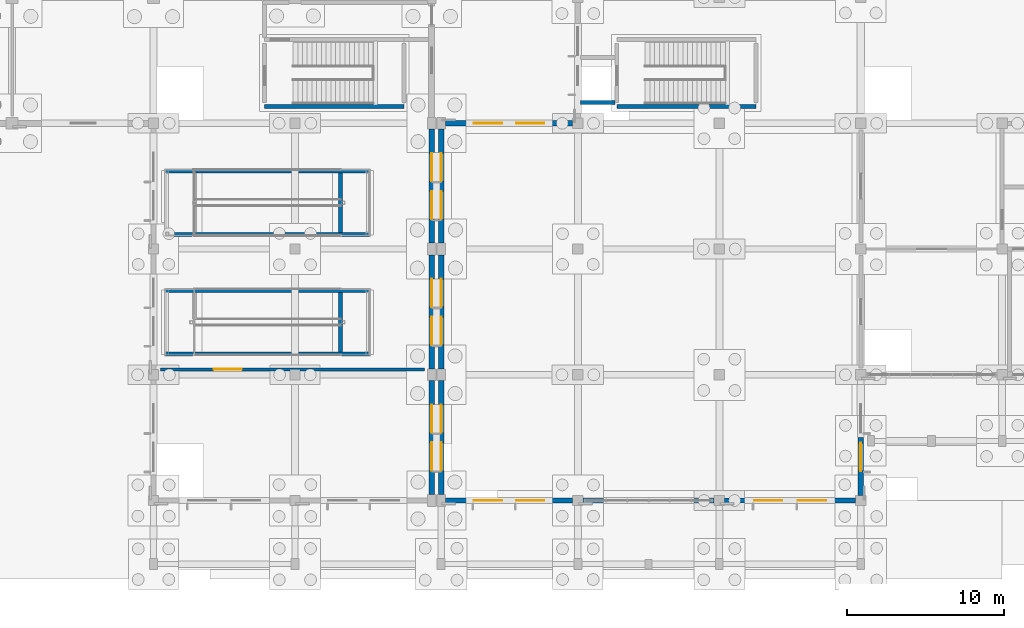
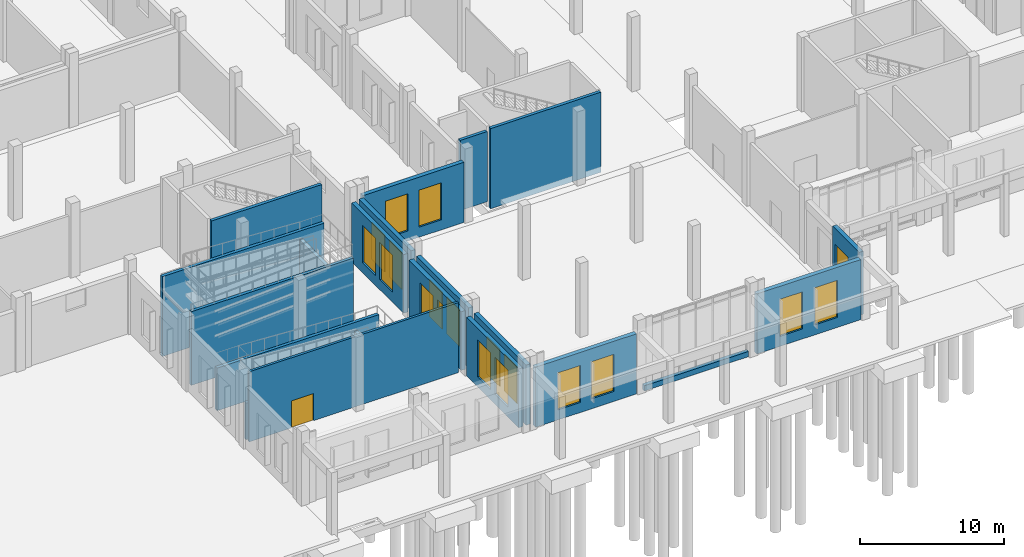
# One storey, part 57 of 99: 21 walls, 19 windows, 1 door, 20 openings.
"""IFC4 building model written with IfcOpenShell, lengths in metres."""

import ifcopenshell
import ifcopenshell.guid

model = None  # the IFC model being written
_history = None  # IfcOwnerHistory: only IFC2X3 demands one
_inside = {}  # id of a spatial element -> (the spatial element, [elements in it])
_under = {}  # id of a project, library or spatial element -> (it, [spatial elements below it])
_declared = {}  # id of a project -> (the project, [libraries it declares])
_typed = {}  # id of a type object -> (the type object, [elements of that type])
_made_of = {}  # id of a material, layer set ... -> (it, [elements and type objects made of it])


def new_model(schema):
    """Start an empty IFC model of exactly this schema.

    Asked for "IFC4X3", IfcOpenShell would pick the latest addendum, in which some entities
    have other attributes; the version numbers below select the first issue.
    IFC2X3 requires an IfcOwnerHistory on every rooted entity: one is made here for all.
    """
    global model, _history
    if schema == "IFC4X3":
        model = ifcopenshell.file(schema_version=(4, 3, 0, 0))
    else:
        model = ifcopenshell.file(schema=schema)
    _inside.clear()
    _under.clear()
    _declared.clear()
    _typed.clear()
    _made_of.clear()
    _history = None
    if model.schema == "IFC2X3":
        org = make("IfcOrganization", Name="unknown")
        user = make(
            "IfcPersonAndOrganization",
            ThePerson=make("IfcPerson", FamilyName="unknown"),
            TheOrganization=org,
        )
        app = make(
            "IfcApplication",
            ApplicationDeveloper=org,
            Version="unknown",
            ApplicationFullName="unknown",
            ApplicationIdentifier="unknown",
        )
        _history = make(
            "IfcOwnerHistory",
            OwningUser=user,
            OwningApplication=app,
            ChangeAction="ADDED",
            CreationDate=0,
        )
    return model


def make(cls, **values):
    """One entity of the class cls with the attributes given. An attribute that is None is left unset."""
    return model.create_entity(
        cls, **{name: value for name, value in values.items() if value is not None}
    )


def rooted(cls, **values):
    """An entity with a GlobalId (a new one), such as an element, a storey or a relation."""
    return make(cls, GlobalId=ifcopenshell.guid.new(), OwnerHistory=_history, **values)


def si_unit(unit_type, name, prefix=None):
    """IfcSIUnit, for example si_unit("LENGTHUNIT", "METRE", prefix="MILLI")."""
    return make("IfcSIUnit", UnitType=unit_type, Prefix=prefix, Name=name)


def assignment(units):
    """IfcUnitAssignment: the units of a project."""
    return None if units is None else make("IfcUnitAssignment", Units=units)


def point(xyz):
    """IfcCartesianPoint."""
    return None if xyz is None else make("IfcCartesianPoint", Coordinates=xyz)


def direction(xyz):
    """IfcDirection."""
    return None if xyz is None else make("IfcDirection", DirectionRatios=xyz)


def frame(location, z_axis=None, x_axis=None):
    """IfcAxis2Placement3D, a coordinate frame: its origin and axes. An axis left out is left unset."""
    return make(
        "IfcAxis2Placement3D",
        Location=point(location),
        Axis=direction(z_axis),
        RefDirection=direction(x_axis),
    )


def frame_2d(location, x_axis=None):
    """IfcAxis2Placement2D, a coordinate frame in the plane: its origin and x axis."""
    return make(
        "IfcAxis2Placement2D", Location=point(location), RefDirection=direction(x_axis)
    )


def origin():
    """The frame at (0, 0, 0) with its axes left unset."""
    return frame((0.0, 0.0, 0.0))


def place(relative_to, where):
    """IfcLocalPlacement: puts the frame where relative to a parent placement (None: the world)."""
    return make(
        "IfcLocalPlacement", PlacementRelTo=relative_to, RelativePlacement=where
    )


def context(
    kind, dimensions, precision=None, world=None, true_north=None, identifier=None
):
    """IfcGeometricRepresentationContext, for example the 3D "Model" context."""
    return make(
        "IfcGeometricRepresentationContext",
        ContextIdentifier=identifier,
        ContextType=kind,
        CoordinateSpaceDimension=dimensions,
        Precision=precision,
        WorldCoordinateSystem=world,
        TrueNorth=true_north,
    )


def subcontext(parent, identifier, kind, view, scale=None):
    """IfcGeometricRepresentationSubContext, for example "Body" below "Model"."""
    return make(
        "IfcGeometricRepresentationSubContext",
        ContextIdentifier=identifier,
        ContextType=kind,
        ParentContext=parent,
        TargetScale=scale,
        TargetView=view,
    )


def project(units=None, contexts=None):
    """IfcProject with its units and contexts."""
    return rooted(
        "IfcProject",
        Name="project",
        RepresentationContexts=contexts,
        UnitsInContext=assignment(units),
    )


def spatial(cls, under=None, at=None, **own):
    """A site, building, storey or space (cls), placed at a placement, below another one or the project."""
    s = rooted(cls, ObjectPlacement=at, **own)
    if under is not None:
        _under.setdefault(under.id(), (under, []))[1].append(s)
    return s


def profile(cls, at=None, kind="AREA", **sizes):
    """A parametric profile (cls). Its sizes go by their IFC names, for example OverallWidth=200.0."""
    return make(cls, ProfileType=kind, Position=at, **sizes)


def rectangle(**sizes):
    """IfcRectangleProfileDef."""
    return profile("IfcRectangleProfileDef", **sizes)


def extrude(swept, where, along, depth):
    """IfcExtrudedAreaSolid: the profile swept, set in the frame where, extruded along a direction by depth."""
    return make(
        "IfcExtrudedAreaSolid",
        SweptArea=swept,
        Position=where,
        ExtrudedDirection=direction(along),
        Depth=depth,
    )


def shape(context_of_items, identifier, shape_type, items):
    """IfcShapeRepresentation: the items that make up one representation, for example the "Body"."""
    return make(
        "IfcShapeRepresentation",
        ContextOfItems=context_of_items,
        RepresentationIdentifier=identifier,
        RepresentationType=shape_type,
        Items=items,
    )


def material(Name=None, Category=None):
    """IfcMaterial."""
    return make("IfcMaterial", Name=Name, Category=Category)


def layer(
    of_material, thickness, ventilated=None, Name=None, Category=None, Priority=None
):
    """IfcMaterialLayer: one layer of a wall or slab, of a material (None: an air gap)."""
    return make(
        "IfcMaterialLayer",
        Material=of_material,
        LayerThickness=thickness,
        IsVentilated=ventilated,
        Name=Name,
        Category=Category,
        Priority=Priority,
    )


def layer_set(layers, Name=None):
    """IfcMaterialLayerSet."""
    return make("IfcMaterialLayerSet", MaterialLayers=layers, LayerSetName=Name)


def made_of(thing, what):
    """Note that an element or type object is made of a material, layer set ...; save() writes the relation."""
    if what is not None:
        _made_of.setdefault(what.id(), (what, []))[1].append(thing)
    return thing


def type_object(cls, material=None, **own):
    """A type object (cls), such as IfcWallType, which elements share."""
    return made_of(rooted(cls, **own), material)


def element(
    cls,
    number,
    at=None,
    inside=None,
    cuts=None,
    type_object=None,
    material=None,
    context=None,
    identifier="Body",
    shape_type=None,
    held_by="IfcProductDefinitionShape",
    body=None,
    shapes=None,
    **own,
):
    """One element of the class cls, such as IfcWall. Its Tag is "e" and its number.

    at: its placement. inside: the storey or other place that contains it. cuts: it is an
    opening in that element (IfcRelVoidsElement). A single representation is given by context,
    identifier, shape_type and body (its items); several are given by shapes. held_by: the class
    of the entity that holds the representations. save() writes the other relations.
    """
    e = rooted(cls, Tag="e%d" % number, ObjectPlacement=at, **own)
    if body is not None:
        shapes = [shape(context, identifier, shape_type, body)]
    if shapes is not None:
        e.Representation = make(held_by, Representations=shapes)
    if inside is not None:
        _inside.setdefault(inside.id(), (inside, []))[1].append(e)
    if cuts is not None:
        rooted(
            "IfcRelVoidsElement", RelatingBuildingElement=cuts, RelatedOpeningElement=e
        )
    if type_object is not None:
        _typed.setdefault(type_object.id(), (type_object, []))[1].append(e)
    return made_of(e, material)


def fill(opening, filler):
    """IfcRelFillsElement: the door or window that sits in an opening."""
    return rooted(
        "IfcRelFillsElement",
        RelatingOpeningElement=opening,
        RelatedBuildingElement=filler,
    )


def aggregate(whole, parts):
    """IfcRelAggregates: a whole, such as a stair, and the parts it consists of."""
    return rooted("IfcRelAggregates", RelatingObject=whole, RelatedObjects=parts)


def save(model, path):
    """Write the relations noted so far, then the file.

    IfcRelAggregates (storeys below a building ...), IfcRelContainedInSpatialStructure (elements
    in a storey), IfcRelDefinesByType, IfcRelAssociatesMaterial and IfcRelDeclares: one each for
    every whole, place, type object, material and project.
    """
    for whole, parts in _under.values():
        aggregate(whole, parts)
    for where, things in _inside.values():
        rooted(
            "IfcRelContainedInSpatialStructure",
            RelatedElements=things,
            RelatingStructure=where,
        )
    for kind, things in _typed.values():
        rooted("IfcRelDefinesByType", RelatedObjects=things, RelatingType=kind)
    for what, things in _made_of.values():
        rooted("IfcRelAssociatesMaterial", RelatedObjects=things, RelatingMaterial=what)
    for by, libraries in _declared.values():
        rooted("IfcRelDeclares", RelatingContext=by, RelatedDefinitions=libraries)
    model.write(path)


model = new_model("IFC4")

# Units and contexts
model_context = context("Model", 3, precision=1e-05, world=origin(), true_north=direction((0.0, 1.0)))
body_context = subcontext(model_context, "Body", "Model", "MODEL_VIEW")
ifc_project = project(units=[si_unit("LENGTHUNIT", "METRE"), si_unit("AREAUNIT", "SQUARE_METRE"), si_unit("VOLUMEUNIT", "CUBIC_METRE"), si_unit("PLANEANGLEUNIT", "RADIAN"), si_unit("MASSUNIT", "GRAM", prefix="KILO")], contexts=[model_context])

# Site, building, storey
site_placement = place(None, origin())
site = spatial("IfcSite", under=ifc_project, at=site_placement, CompositionType="ELEMENT")
building_placement = place(site_placement, origin())
building = spatial("IfcBuilding", under=site, at=building_placement, Name="Zacnel Wholesale Market", CompositionType="ELEMENT")
storey_placement = place(building_placement, origin())
storey = spatial("IfcBuildingStorey", under=building, at=storey_placement, Name="L01", CompositionType="ELEMENT", Elevation=0.0)

# Wall, opening, door
ifc_material_1 = material(Name="PIR insulated cold-store panel")
ifc_layer_1 = layer(ifc_material_1, 0.195068359375)
ifc_layer_set_1 = layer_set([ifc_layer_1], Name="PIR insulated cold-store panel")
wall_type_1 = type_object("IfcWallType", Name="WL-COLD-INT195", PredefinedType="STANDARD", material=ifc_layer_set_1)
wall_1_placement = place(storey_placement, frame((54.449951171875, 8.35009765625, 0.0), z_axis=(0.0, 0.0, 1.0), x_axis=(1.0, 0.0, 0.0)))
wall_1 = element("IfcWall", 1, at=wall_1_placement, inside=storey, type_object=wall_type_1, Name="Interior partition L01-0024", PredefinedType="STANDARD", context=body_context, shape_type="SweptSolid", body=[
    extrude(rectangle(XDim=16.800048828125, YDim=0.195068359375, at=frame_2d((8.39990234375, 0.0))), origin(), (0.0, 0.0, 1.0), 5.949951171875),
])
opening_1_placement = place(wall_1_placement, frame((3.375, 0.0, 0.0)))
opening_1 = element("IfcOpeningElement", 2, at=opening_1_placement, cuts=wall_1, Name="Opening FD-03", PredefinedType="OPENING", context=body_context, shape_type="SweptSolid", body=[
    extrude(rectangle(XDim=1.800048828125, YDim=2.300048828125, at=frame_2d((0.89990234375, 1.14990234375))), frame((0.0, 0.107421875, 0.0), z_axis=(0.0, -1.0, 0.0), x_axis=(1.0, 0.0, 0.0)), (0.0, 0.0, 1.0), 0.215087890625),
])
ifc_material_2 = material(Name="Galvanized steel", Category="steel")
door_type = type_object("IfcDoorType", Name="DR-FIRE-COMP-1800", OperationType="NOTDEFINED", PredefinedType="DOOR", material=ifc_material_2)
door_placement = place(opening_1_placement, origin())
door = element("IfcDoor", 3, at=door_placement, inside=storey, type_object=door_type, Name="Interior door L01-0020", OperationType="SINGLE_SWING_LEFT", OverallHeight=2.300048828125, OverallWidth=1.800048828125, PredefinedType="DOOR", context=body_context, shape_type="SweptSolid", body=[
    extrude(rectangle(XDim=1.800048828125, YDim=2.300048828125, at=frame_2d((0.89990234375, 1.14990234375))), frame((0.0, 0.02490234375, 0.0), z_axis=(0.0, -1.0, 0.0), x_axis=(1.0, 0.0, 0.0)), (0.0, 0.0, 1.0), 0.050048828125),
])
fill(opening_1, door)

# Walls
ifc_material_3 = material(Name="Concrete C40/50", Category="concrete")
ifc_layer_2 = layer(ifc_material_3, 0.2548828125)
ifc_layer_set_2 = layer_set([ifc_layer_2], Name="Concrete C40/50")
wall_type_2 = type_object("IfcWallType", Name="WL-COMP-FW250", PredefinedType="STANDARD", material=ifc_layer_set_2)
wall_2_placement = place(storey_placement, frame((81.169921875, 25.322509765625, 0.0), z_axis=(0.0, 0.0, 1.0), x_axis=(1.0, 0.0, 0.0)))
element("IfcWall", 4, at=wall_2_placement, inside=storey, type_object=wall_type_2, Name="Exit passage ST-18 fire barrier wall 1", PredefinedType="STANDARD", context=body_context, shape_type="SweptSolid", body=[
    extrude(rectangle(XDim=2.18017578125, YDim=0.2548828125, at=frame_2d((1.090087890625, 0.0))), origin(), (0.0, 0.0, 1.0), 5.949951171875),
])
ifc_material_4 = material(Name="Concrete C40/50", Category="concrete")
ifc_layer_3 = layer(ifc_material_4, 0.25)
ifc_layer_set_3 = layer_set([ifc_layer_3], Name="Concrete C40/50")
wall_type_3 = type_object("IfcWallType", Name="WL-CORE-SW250", PredefinedType="SOLIDWALL", material=ifc_layer_set_3)
wall_3_placement = place(storey_placement, frame((83.47509765625, 25.074951171875, -0.5), z_axis=(0.0, 0.0, 1.0), x_axis=(1.0, 0.0, 0.0)))
element("IfcWall", 5, at=wall_3_placement, inside=storey, type_object=wall_type_3, Name="Stair ST-18 south enclosure wall L01", PredefinedType="SOLIDWALL", context=body_context, shape_type="SweptSolid", body=[
    extrude(rectangle(XDim=8.849853515625, YDim=0.25, at=frame_2d((4.4248046875, 0.0))), origin(), (0.0, 0.0, 1.0), 6.800048828125),
])
wall_4_placement = place(storey_placement, frame((61.074951171875, 25.074951171875, -0.5), z_axis=(0.0, 0.0, 1.0), x_axis=(1.0, 0.0, 0.0)))
element("IfcWall", 6, at=wall_4_placement, inside=storey, type_object=wall_type_3, Name="Stair ST-23 south enclosure wall L01", PredefinedType="SOLIDWALL", context=body_context, shape_type="SweptSolid", body=[
    extrude(rectangle(XDim=8.85009765625, YDim=0.25, at=frame_2d((4.425048828125, 0.0))), origin(), (0.0, 0.0, 1.0), 6.800048828125),
])
wall_5_placement = place(storey_placement, frame((54.75, 9.330078125, -0.5), z_axis=(0.0, 0.0, 1.0), x_axis=(1.0, 0.0, 0.0)))
element("IfcWall", 7, at=wall_5_placement, inside=storey, type_object=wall_type_3, Name="Accessible ramp RP-03 (RMP-PROM-1A) Mayan limestone plinth wall S", PredefinedType="SOLIDWALL", context=body_context, shape_type="SweptSolid", body=[
    extrude(rectangle(XDim=12.991943359375, YDim=0.25, at=frame_2d((6.49609375, 0.0))), origin(), (0.0, 0.0, 1.0), 3.10498046875),
])
wall_6_placement = place(storey_placement, frame((54.75, 13.3701171875, -0.5), z_axis=(0.0, 0.0, 1.0), x_axis=(1.0, 0.0, 0.0)))
element("IfcWall", 8, at=wall_6_placement, inside=storey, type_object=wall_type_3, Name="Accessible ramp RP-03 (RMP-PROM-1A) Mayan limestone plinth wall N", PredefinedType="SOLIDWALL", context=body_context, shape_type="SweptSolid", body=[
    extrude(rectangle(XDim=12.991943359375, YDim=0.25, at=frame_2d((6.49609375, 0.0))), origin(), (0.0, 0.0, 1.0), 3.6298828125),
])
wall_7_placement = place(storey_placement, frame((65.89208984375, 9.455078125, -0.5), z_axis=(0.0, 0.0, 1.0), x_axis=(0.0, 1.0, 0.0)))
element("IfcWall", 9, at=wall_7_placement, inside=storey, type_object=wall_type_3, Name="Accessible ramp RP-03 (RMP-PROM-1A) end plinth wall 5", PredefinedType="SOLIDWALL", context=body_context, shape_type="SweptSolid", body=[
    extrude(rectangle(XDim=3.7900390625, YDim=0.25, at=frame_2d((1.89501953125, 0.0))), origin(), (0.0, 0.0, 1.0), 2.909912109375),
])
wall_8_placement = place(storey_placement, frame((54.75, 16.929931640625, -0.5), z_axis=(0.0, 0.0, 1.0), x_axis=(1.0, 0.0, 0.0)))
element("IfcWall", 10, at=wall_8_placement, inside=storey, type_object=wall_type_3, Name="Accessible ramp RP-03 (RMP-PROM-1B) Mayan limestone plinth wall S", PredefinedType="SOLIDWALL", context=body_context, shape_type="SweptSolid", body=[
    extrude(rectangle(XDim=12.991943359375, YDim=0.25, at=frame_2d((6.49609375, 0.0))), origin(), (0.0, 0.0, 1.0), 6.2548828125),
])
wall_9_placement = place(storey_placement, frame((54.75, 20.969970703125, -0.5), z_axis=(0.0, 0.0, 1.0), x_axis=(1.0, 0.0, 0.0)))
element("IfcWall", 11, at=wall_9_placement, inside=storey, type_object=wall_type_3, Name="Accessible ramp RP-03 (RMP-PROM-1B) Mayan limestone plinth wall N", PredefinedType="SOLIDWALL", context=body_context, shape_type="SweptSolid", body=[
    extrude(rectangle(XDim=12.991943359375, YDim=0.25, at=frame_2d((6.49609375, 0.0))), origin(), (0.0, 0.0, 1.0), 6.780029296875),
])
wall_10_placement = place(storey_placement, frame((65.89208984375, 17.054931640625, -0.5), z_axis=(0.0, 0.0, 1.0), x_axis=(0.0, 1.0, 0.0)))
element("IfcWall", 12, at=wall_10_placement, inside=storey, type_object=wall_type_3, Name="Accessible ramp RP-03 (RMP-PROM-1B) end plinth wall 5", PredefinedType="SOLIDWALL", context=body_context, shape_type="SweptSolid", body=[
    extrude(rectangle(XDim=3.7900390625, YDim=0.25, at=frame_2d((1.89501953125, 0.0))), origin(), (0.0, 0.0, 1.0), 6.06005859375),
])
ifc_material_5 = material(Name="Precast concrete C40/50 (Cancun limestone aggregate)", Category="masonry")
ifc_layer_4 = layer(ifc_material_5, 0.300048828125)
ifc_layer_set_4 = layer_set([ifc_layer_4], Name="Precast concrete C40/50 (Cancun limestone aggregate)")
wall_type_4 = type_object("IfcWallType", Name="WL-EXT-LIME-300", PredefinedType="SOLIDWALL", material=ifc_layer_set_4)
wall_11_placement = place(storey_placement, frame((81.324951171875, 0.0, 0.0), z_axis=(0.0, 0.0, 1.0), x_axis=(1.0, 0.0, 0.0)))
element("IfcWall", 13, at=wall_11_placement, inside=storey, type_object=wall_type_4, Name="Curtain-wall limestone plinth L01-0001", PredefinedType="SOLIDWALL", context=body_context, shape_type="SweptSolid", body=[
    extrude(rectangle(XDim=8.35009765625, YDim=0.300048828125, at=frame_2d((4.175048828125, 0.0))), origin(), (0.0, 0.0, 1.0), 0.449951171875),
])

# Wall, openings, windows
ifc_material_6 = material(Name="Precast concrete C40/50 (Cancun limestone aggregate)", Category="masonry")
ifc_layer_5 = layer(ifc_material_6, 0.340087890625)
ifc_layer_set_5 = layer_set([ifc_layer_5], Name="Precast concrete C40/50 (Cancun limestone aggregate)")
wall_type_5 = type_object("IfcWallType", Name="WL-EXT-LIME-340", PredefinedType="SOLIDWALL", material=ifc_layer_set_5)
wall_12_placement = place(storey_placement, frame((71.699951171875, 0.375, 0.0), z_axis=(0.0, 0.0, 1.0), x_axis=(0.0, 1.0, 0.0)))
wall_12 = element("IfcWall", 14, at=wall_12_placement, inside=storey, type_object=wall_type_5, Name="Exterior wall L01-0073", PredefinedType="SOLIDWALL", context=body_context, shape_type="SweptSolid", body=[
    extrude(rectangle(XDim=7.25, YDim=0.340087890625, at=frame_2d((3.625, 0.0))), origin(), (0.0, 0.0, 1.0), 4.97998046875),
])
opening_2_placement = place(wall_12_placement, frame((1.51708984375, 0.0, 0.85009765625)))
opening_2 = element("IfcOpeningElement", 15, at=opening_2_placement, cuts=wall_12, Name="Opening W-03", PredefinedType="OPENING", context=body_context, shape_type="SweptSolid", body=[
    extrude(rectangle(XDim=1.800048828125, YDim=3.14990234375, at=frame_2d((0.89990234375, 1.574951171875))), frame((0.0, 0.179931640625, 0.0), z_axis=(0.0, -1.0, 0.0), x_axis=(1.0, 0.0, 0.0)), (0.0, 0.0, 1.0), 0.360107421875),
])
opening_3_placement = place(wall_12_placement, frame((3.93310546875, 0.0, 0.85009765625)))
opening_3 = element("IfcOpeningElement", 16, at=opening_3_placement, cuts=wall_12, Name="Opening W-03", PredefinedType="OPENING", context=body_context, shape_type="SweptSolid", body=[
    extrude(rectangle(XDim=1.800048828125, YDim=3.14990234375, at=frame_2d((0.89990234375, 1.574951171875))), frame((0.0, 0.179931640625, 0.0), z_axis=(0.0, -1.0, 0.0), x_axis=(1.0, 0.0, 0.0)), (0.0, 0.0, 1.0), 0.360107421875),
])
ifc_material_7 = material(Name="Laminated hurricane-impact low-E insulated glass", Category="glass")
window_type = type_object("IfcWindowType", Name="WIN-DEC-1800X3150", PartitioningType="DOUBLE_PANEL_VERTICAL", PredefinedType="WINDOW", material=ifc_material_7)
window_1_placement = place(opening_2_placement, origin())
window_1 = element("IfcWindow", 17, at=window_1_placement, inside=storey, type_object=window_type, Name="Window L01-0044", OverallHeight=3.14990234375, OverallWidth=1.800048828125, PartitioningType="DOUBLE_PANEL_VERTICAL", PredefinedType="WINDOW", context=body_context, shape_type="SweptSolid", body=[
    extrude(rectangle(XDim=1.800048828125, YDim=3.14990234375, at=frame_2d((0.89990234375, 1.574951171875))), frame((0.0, 0.030029296875, 0.0), z_axis=(0.0, -1.0, 0.0), x_axis=(1.0, 0.0, 0.0)), (0.0, 0.0, 1.0), 0.06005859375),
])
fill(opening_2, window_1)
window_2_placement = place(opening_3_placement, origin())
window_2 = element("IfcWindow", 18, at=window_2_placement, inside=storey, type_object=window_type, Name="Window L01-0045", OverallHeight=3.14990234375, OverallWidth=1.800048828125, PartitioningType="DOUBLE_PANEL_VERTICAL", PredefinedType="WINDOW", context=body_context, shape_type="SweptSolid", body=[
    extrude(rectangle(XDim=1.800048828125, YDim=3.14990234375, at=frame_2d((0.89990234375, 1.574951171875))), frame((0.0, 0.030029296875, 0.0), z_axis=(0.0, -1.0, 0.0), x_axis=(1.0, 0.0, 0.0)), (0.0, 0.0, 1.0), 0.06005859375),
])
fill(opening_3, window_2)

wall_13_placement = place(storey_placement, frame((71.699951171875, 8.375, 0.0), z_axis=(0.0, 0.0, 1.0), x_axis=(0.0, 1.0, 0.0)))
wall_13 = element("IfcWall", 19, at=wall_13_placement, inside=storey, type_object=wall_type_5, Name="Exterior wall L01-0074", PredefinedType="SOLIDWALL", context=body_context, shape_type="SweptSolid", body=[
    extrude(rectangle(XDim=7.25, YDim=0.340087890625, at=frame_2d((3.625, 0.0))), origin(), (0.0, 0.0, 1.0), 4.97998046875),
])
opening_4_placement = place(wall_13_placement, frame((1.51708984375, 0.0, 0.85009765625)))
opening_4 = element("IfcOpeningElement", 20, at=opening_4_placement, cuts=wall_13, Name="Opening W-03", PredefinedType="OPENING", context=body_context, shape_type="SweptSolid", body=[
    extrude(rectangle(XDim=1.800048828125, YDim=3.14990234375, at=frame_2d((0.89990234375, 1.574951171875))), frame((0.0, 0.179931640625, 0.0), z_axis=(0.0, -1.0, 0.0), x_axis=(1.0, 0.0, 0.0)), (0.0, 0.0, 1.0), 0.360107421875),
])
opening_5_placement = place(wall_13_placement, frame((3.93310546875, 0.0, 0.85009765625)))
opening_5 = element("IfcOpeningElement", 21, at=opening_5_placement, cuts=wall_13, Name="Opening W-03", PredefinedType="OPENING", context=body_context, shape_type="SweptSolid", body=[
    extrude(rectangle(XDim=1.800048828125, YDim=3.14990234375, at=frame_2d((0.89990234375, 1.574951171875))), frame((0.0, 0.179931640625, 0.0), z_axis=(0.0, -1.0, 0.0), x_axis=(1.0, 0.0, 0.0)), (0.0, 0.0, 1.0), 0.360107421875),
])
window_3_placement = place(opening_4_placement, origin())
window_3 = element("IfcWindow", 22, at=window_3_placement, inside=storey, type_object=window_type, Name="Window L01-0046", OverallHeight=3.14990234375, OverallWidth=1.800048828125, PartitioningType="DOUBLE_PANEL_VERTICAL", PredefinedType="WINDOW", context=body_context, shape_type="SweptSolid", body=[
    extrude(rectangle(XDim=1.800048828125, YDim=3.14990234375, at=frame_2d((0.89990234375, 1.574951171875))), frame((0.0, 0.030029296875, 0.0), z_axis=(0.0, -1.0, 0.0), x_axis=(1.0, 0.0, 0.0)), (0.0, 0.0, 1.0), 0.06005859375),
])
fill(opening_4, window_3)
window_4_placement = place(opening_5_placement, origin())
window_4 = element("IfcWindow", 23, at=window_4_placement, inside=storey, type_object=window_type, Name="Window L01-0047", OverallHeight=3.14990234375, OverallWidth=1.800048828125, PartitioningType="DOUBLE_PANEL_VERTICAL", PredefinedType="WINDOW", context=body_context, shape_type="SweptSolid", body=[
    extrude(rectangle(XDim=1.800048828125, YDim=3.14990234375, at=frame_2d((0.89990234375, 1.574951171875))), frame((0.0, 0.030029296875, 0.0), z_axis=(0.0, -1.0, 0.0), x_axis=(1.0, 0.0, 0.0)), (0.0, 0.0, 1.0), 0.06005859375),
])
fill(opening_5, window_4)

wall_14_placement = place(storey_placement, frame((71.699951171875, 16.375, 0.0), z_axis=(0.0, 0.0, 1.0), x_axis=(0.0, 1.0, 0.0)))
wall_14 = element("IfcWall", 24, at=wall_14_placement, inside=storey, type_object=wall_type_5, Name="Exterior wall L01-0075", PredefinedType="SOLIDWALL", context=body_context, shape_type="SweptSolid", body=[
    extrude(rectangle(XDim=7.25, YDim=0.340087890625, at=frame_2d((3.625, 0.0))), origin(), (0.0, 0.0, 1.0), 4.97998046875),
])
opening_6_placement = place(wall_14_placement, frame((1.51708984375, 0.0, 0.85009765625)))
opening_6 = element("IfcOpeningElement", 25, at=opening_6_placement, cuts=wall_14, Name="Opening W-03", PredefinedType="OPENING", context=body_context, shape_type="SweptSolid", body=[
    extrude(rectangle(XDim=1.800048828125, YDim=3.14990234375, at=frame_2d((0.89990234375, 1.574951171875))), frame((0.0, 0.179931640625, 0.0), z_axis=(0.0, -1.0, 0.0), x_axis=(1.0, 0.0, 0.0)), (0.0, 0.0, 1.0), 0.360107421875),
])
opening_7_placement = place(wall_14_placement, frame((3.93310546875, 0.0, 0.85009765625)))
opening_7 = element("IfcOpeningElement", 26, at=opening_7_placement, cuts=wall_14, Name="Opening W-03", PredefinedType="OPENING", context=body_context, shape_type="SweptSolid", body=[
    extrude(rectangle(XDim=1.800048828125, YDim=3.14990234375, at=frame_2d((0.89990234375, 1.574951171875))), frame((0.0, 0.179931640625, 0.0), z_axis=(0.0, -1.0, 0.0), x_axis=(1.0, 0.0, 0.0)), (0.0, 0.0, 1.0), 0.360107421875),
])
window_5_placement = place(opening_6_placement, origin())
window_5 = element("IfcWindow", 27, at=window_5_placement, inside=storey, type_object=window_type, Name="Window L01-0048", OverallHeight=3.14990234375, OverallWidth=1.800048828125, PartitioningType="DOUBLE_PANEL_VERTICAL", PredefinedType="WINDOW", context=body_context, shape_type="SweptSolid", body=[
    extrude(rectangle(XDim=1.800048828125, YDim=3.14990234375, at=frame_2d((0.89990234375, 1.574951171875))), frame((0.0, 0.030029296875, 0.0), z_axis=(0.0, -1.0, 0.0), x_axis=(1.0, 0.0, 0.0)), (0.0, 0.0, 1.0), 0.06005859375),
])
fill(opening_6, window_5)
window_6_placement = place(opening_7_placement, origin())
window_6 = element("IfcWindow", 28, at=window_6_placement, inside=storey, type_object=window_type, Name="Window L01-0049", OverallHeight=3.14990234375, OverallWidth=1.800048828125, PartitioningType="DOUBLE_PANEL_VERTICAL", PredefinedType="WINDOW", context=body_context, shape_type="SweptSolid", body=[
    extrude(rectangle(XDim=1.800048828125, YDim=3.14990234375, at=frame_2d((0.89990234375, 1.574951171875))), frame((0.0, 0.030029296875, 0.0), z_axis=(0.0, -1.0, 0.0), x_axis=(1.0, 0.0, 0.0)), (0.0, 0.0, 1.0), 0.06005859375),
])
fill(opening_7, window_6)

wall_15_placement = place(storey_placement, frame((72.574951171875, 0.0, 0.0), z_axis=(0.0, 0.0, 1.0), x_axis=(1.0, 0.0, 0.0)))
wall_15 = element("IfcWall", 29, at=wall_15_placement, inside=storey, type_object=wall_type_5, Name="Exterior wall L01-0076", PredefinedType="SOLIDWALL", context=body_context, shape_type="SweptSolid", body=[
    extrude(rectangle(XDim=8.10009765625, YDim=0.340087890625, at=frame_2d((4.050048828125, 0.0))), origin(), (0.0, 0.0, 1.0), 5.10009765625),
])
opening_8_placement = place(wall_15_placement, frame((1.800048828125, 0.0, 0.85009765625)))
opening_8 = element("IfcOpeningElement", 30, at=opening_8_placement, cuts=wall_15, Name="Opening W-03", PredefinedType="OPENING", context=body_context, shape_type="SweptSolid", body=[
    extrude(rectangle(XDim=1.800048828125, YDim=3.14990234375, at=frame_2d((0.89990234375, 1.574951171875))), frame((0.0, 0.179931640625, 0.0), z_axis=(0.0, -1.0, 0.0), x_axis=(1.0, 0.0, 0.0)), (0.0, 0.0, 1.0), 0.360107421875),
])
opening_9_placement = place(wall_15_placement, frame((4.5, 0.0, 0.85009765625)))
opening_9 = element("IfcOpeningElement", 31, at=opening_9_placement, cuts=wall_15, Name="Opening W-03", PredefinedType="OPENING", context=body_context, shape_type="SweptSolid", body=[
    extrude(rectangle(XDim=1.800048828125, YDim=3.14990234375, at=frame_2d((0.89990234375, 1.574951171875))), frame((0.0, 0.179931640625, 0.0), z_axis=(0.0, -1.0, 0.0), x_axis=(1.0, 0.0, 0.0)), (0.0, 0.0, 1.0), 0.360107421875),
])
window_7_placement = place(opening_8_placement, origin())
window_7 = element("IfcWindow", 32, at=window_7_placement, inside=storey, type_object=window_type, Name="Window L01-0050", OverallHeight=3.14990234375, OverallWidth=1.800048828125, PartitioningType="DOUBLE_PANEL_VERTICAL", PredefinedType="WINDOW", context=body_context, shape_type="SweptSolid", body=[
    extrude(rectangle(XDim=1.800048828125, YDim=3.14990234375, at=frame_2d((0.89990234375, 1.574951171875))), frame((0.0, 0.030029296875, 0.0), z_axis=(0.0, -1.0, 0.0), x_axis=(1.0, 0.0, 0.0)), (0.0, 0.0, 1.0), 0.06005859375),
])
fill(opening_8, window_7)
window_8_placement = place(opening_9_placement, origin())
window_8 = element("IfcWindow", 33, at=window_8_placement, inside=storey, type_object=window_type, Name="Window L01-0051", OverallHeight=3.14990234375, OverallWidth=1.800048828125, PartitioningType="DOUBLE_PANEL_VERTICAL", PredefinedType="WINDOW", context=body_context, shape_type="SweptSolid", body=[
    extrude(rectangle(XDim=1.800048828125, YDim=3.14990234375, at=frame_2d((0.89990234375, 1.574951171875))), frame((0.0, 0.030029296875, 0.0), z_axis=(0.0, -1.0, 0.0), x_axis=(1.0, 0.0, 0.0)), (0.0, 0.0, 1.0), 0.06005859375),
])
fill(opening_9, window_8)

wall_16_placement = place(storey_placement, frame((90.324951171875, 0.0, 0.0), z_axis=(0.0, 0.0, 1.0), x_axis=(1.0, 0.0, 0.0)))
wall_16 = element("IfcWall", 34, at=wall_16_placement, inside=storey, type_object=wall_type_5, Name="Exterior wall L01-0077", PredefinedType="SOLIDWALL", context=body_context, shape_type="SweptSolid", body=[
    extrude(rectangle(XDim=8.35009765625, YDim=0.340087890625, at=frame_2d((4.175048828125, 0.0))), origin(), (0.0, 0.0, 1.0), 5.10009765625),
])
opening_10_placement = place(wall_16_placement, frame((1.883056640625, 0.0, 0.85009765625)))
opening_10 = element("IfcOpeningElement", 35, at=opening_10_placement, cuts=wall_16, Name="Opening W-03", PredefinedType="OPENING", context=body_context, shape_type="SweptSolid", body=[
    extrude(rectangle(XDim=1.800048828125, YDim=3.14990234375, at=frame_2d((0.89990234375, 1.574951171875))), frame((0.0, 0.179931640625, 0.0), z_axis=(0.0, -1.0, 0.0), x_axis=(1.0, 0.0, 0.0)), (0.0, 0.0, 1.0), 0.360107421875),
])
opening_11_placement = place(wall_16_placement, frame((4.6669921875, 0.0, 0.85009765625)))
opening_11 = element("IfcOpeningElement", 36, at=opening_11_placement, cuts=wall_16, Name="Opening W-03", PredefinedType="OPENING", context=body_context, shape_type="SweptSolid", body=[
    extrude(rectangle(XDim=1.800048828125, YDim=3.14990234375, at=frame_2d((0.89990234375, 1.574951171875))), frame((0.0, 0.179931640625, 0.0), z_axis=(0.0, -1.0, 0.0), x_axis=(1.0, 0.0, 0.0)), (0.0, 0.0, 1.0), 0.360107421875),
])
window_9_placement = place(opening_10_placement, origin())
window_9 = element("IfcWindow", 37, at=window_9_placement, inside=storey, type_object=window_type, Name="Window L01-0052", OverallHeight=3.14990234375, OverallWidth=1.800048828125, PartitioningType="DOUBLE_PANEL_VERTICAL", PredefinedType="WINDOW", context=body_context, shape_type="SweptSolid", body=[
    extrude(rectangle(XDim=1.800048828125, YDim=3.14990234375, at=frame_2d((0.89990234375, 1.574951171875))), frame((0.0, 0.030029296875, 0.0), z_axis=(0.0, -1.0, 0.0), x_axis=(1.0, 0.0, 0.0)), (0.0, 0.0, 1.0), 0.06005859375),
])
fill(opening_10, window_9)
window_10_placement = place(opening_11_placement, origin())
window_10 = element("IfcWindow", 38, at=window_10_placement, inside=storey, type_object=window_type, Name="Window L01-0053", OverallHeight=3.14990234375, OverallWidth=1.800048828125, PartitioningType="DOUBLE_PANEL_VERTICAL", PredefinedType="WINDOW", context=body_context, shape_type="SweptSolid", body=[
    extrude(rectangle(XDim=1.800048828125, YDim=3.14990234375, at=frame_2d((0.89990234375, 1.574951171875))), frame((0.0, 0.030029296875, 0.0), z_axis=(0.0, -1.0, 0.0), x_axis=(1.0, 0.0, 0.0)), (0.0, 0.0, 1.0), 0.06005859375),
])
fill(opening_11, window_10)

wall_17_placement = place(storey_placement, frame((72.574951171875, 24.0, 0.0), z_axis=(0.0, 0.0, 1.0), x_axis=(1.0, 0.0, 0.0)))
wall_17 = element("IfcWall", 39, at=wall_17_placement, inside=storey, type_object=wall_type_5, Name="Exterior wall L01-0078", PredefinedType="SOLIDWALL", context=body_context, shape_type="SweptSolid", body=[
    extrude(rectangle(XDim=8.10009765625, YDim=0.340087890625, at=frame_2d((4.050048828125, 0.0))), origin(), (0.0, 0.0, 1.0), 5.10009765625),
])
opening_12_placement = place(wall_17_placement, frame((1.800048828125, 0.0, 0.85009765625)))
opening_12 = element("IfcOpeningElement", 40, at=opening_12_placement, cuts=wall_17, Name="Opening W-03", PredefinedType="OPENING", context=body_context, shape_type="SweptSolid", body=[
    extrude(rectangle(XDim=1.800048828125, YDim=3.14990234375, at=frame_2d((0.89990234375, 1.574951171875))), frame((0.0, 0.179931640625, 0.0), z_axis=(0.0, -1.0, 0.0), x_axis=(1.0, 0.0, 0.0)), (0.0, 0.0, 1.0), 0.360107421875),
])
opening_13_placement = place(wall_17_placement, frame((4.5, 0.0, 0.85009765625)))
opening_13 = element("IfcOpeningElement", 41, at=opening_13_placement, cuts=wall_17, Name="Opening W-03", PredefinedType="OPENING", context=body_context, shape_type="SweptSolid", body=[
    extrude(rectangle(XDim=1.800048828125, YDim=3.14990234375, at=frame_2d((0.89990234375, 1.574951171875))), frame((0.0, 0.179931640625, 0.0), z_axis=(0.0, -1.0, 0.0), x_axis=(1.0, 0.0, 0.0)), (0.0, 0.0, 1.0), 0.360107421875),
])
window_11_placement = place(opening_12_placement, origin())
window_11 = element("IfcWindow", 42, at=window_11_placement, inside=storey, type_object=window_type, Name="Window L01-0054", OverallHeight=3.14990234375, OverallWidth=1.800048828125, PartitioningType="DOUBLE_PANEL_VERTICAL", PredefinedType="WINDOW", context=body_context, shape_type="SweptSolid", body=[
    extrude(rectangle(XDim=1.800048828125, YDim=3.14990234375, at=frame_2d((0.89990234375, 1.574951171875))), frame((0.0, 0.030029296875, 0.0), z_axis=(0.0, -1.0, 0.0), x_axis=(1.0, 0.0, 0.0)), (0.0, 0.0, 1.0), 0.06005859375),
])
fill(opening_12, window_11)
window_12_placement = place(opening_13_placement, origin())
window_12 = element("IfcWindow", 43, at=window_12_placement, inside=storey, type_object=window_type, Name="Window L01-0055", OverallHeight=3.14990234375, OverallWidth=1.800048828125, PartitioningType="DOUBLE_PANEL_VERTICAL", PredefinedType="WINDOW", context=body_context, shape_type="SweptSolid", body=[
    extrude(rectangle(XDim=1.800048828125, YDim=3.14990234375, at=frame_2d((0.89990234375, 1.574951171875))), frame((0.0, 0.030029296875, 0.0), z_axis=(0.0, -1.0, 0.0), x_axis=(1.0, 0.0, 0.0)), (0.0, 0.0, 1.0), 0.06005859375),
])
fill(opening_13, window_12)

wall_18_placement = place(storey_placement, frame((72.300048828125, 0.375, 0.0), z_axis=(0.0, 0.0, 1.0), x_axis=(0.0, 1.0, 0.0)))
wall_18 = element("IfcWall", 44, at=wall_18_placement, inside=storey, type_object=wall_type_5, Name="Exterior wall L01-0079", PredefinedType="SOLIDWALL", context=body_context, shape_type="SweptSolid", body=[
    extrude(rectangle(XDim=7.25, YDim=0.340087890625, at=frame_2d((3.625, 0.0))), origin(), (0.0, 0.0, 1.0), 5.10009765625),
])
opening_14_placement = place(wall_18_placement, frame((1.51708984375, 0.0, 0.85009765625)))
opening_14 = element("IfcOpeningElement", 45, at=opening_14_placement, cuts=wall_18, Name="Opening W-03", PredefinedType="OPENING", context=body_context, shape_type="SweptSolid", body=[
    extrude(rectangle(XDim=1.800048828125, YDim=3.14990234375, at=frame_2d((0.89990234375, 1.574951171875))), frame((0.0, 0.179931640625, 0.0), z_axis=(0.0, -1.0, 0.0), x_axis=(1.0, 0.0, 0.0)), (0.0, 0.0, 1.0), 0.360107421875),
])
opening_15_placement = place(wall_18_placement, frame((3.93310546875, 0.0, 0.85009765625)))
opening_15 = element("IfcOpeningElement", 46, at=opening_15_placement, cuts=wall_18, Name="Opening W-03", PredefinedType="OPENING", context=body_context, shape_type="SweptSolid", body=[
    extrude(rectangle(XDim=1.800048828125, YDim=3.14990234375, at=frame_2d((0.89990234375, 1.574951171875))), frame((0.0, 0.179931640625, 0.0), z_axis=(0.0, -1.0, 0.0), x_axis=(1.0, 0.0, 0.0)), (0.0, 0.0, 1.0), 0.360107421875),
])
window_13_placement = place(opening_14_placement, origin())
window_13 = element("IfcWindow", 47, at=window_13_placement, inside=storey, type_object=window_type, Name="Window L01-0056", OverallHeight=3.14990234375, OverallWidth=1.800048828125, PartitioningType="DOUBLE_PANEL_VERTICAL", PredefinedType="WINDOW", context=body_context, shape_type="SweptSolid", body=[
    extrude(rectangle(XDim=1.800048828125, YDim=3.14990234375, at=frame_2d((0.89990234375, 1.574951171875))), frame((0.0, 0.030029296875, 0.0), z_axis=(0.0, -1.0, 0.0), x_axis=(1.0, 0.0, 0.0)), (0.0, 0.0, 1.0), 0.06005859375),
])
fill(opening_14, window_13)
window_14_placement = place(opening_15_placement, origin())
window_14 = element("IfcWindow", 48, at=window_14_placement, inside=storey, type_object=window_type, Name="Window L01-0057", OverallHeight=3.14990234375, OverallWidth=1.800048828125, PartitioningType="DOUBLE_PANEL_VERTICAL", PredefinedType="WINDOW", context=body_context, shape_type="SweptSolid", body=[
    extrude(rectangle(XDim=1.800048828125, YDim=3.14990234375, at=frame_2d((0.89990234375, 1.574951171875))), frame((0.0, 0.030029296875, 0.0), z_axis=(0.0, -1.0, 0.0), x_axis=(1.0, 0.0, 0.0)), (0.0, 0.0, 1.0), 0.06005859375),
])
fill(opening_15, window_14)

wall_19_placement = place(storey_placement, frame((72.300048828125, 8.375, 0.0), z_axis=(0.0, 0.0, 1.0), x_axis=(0.0, 1.0, 0.0)))
wall_19 = element("IfcWall", 49, at=wall_19_placement, inside=storey, type_object=wall_type_5, Name="Exterior wall L01-0080", PredefinedType="SOLIDWALL", context=body_context, shape_type="SweptSolid", body=[
    extrude(rectangle(XDim=7.25, YDim=0.340087890625, at=frame_2d((3.625, 0.0))), origin(), (0.0, 0.0, 1.0), 5.10009765625),
])
opening_16_placement = place(wall_19_placement, frame((1.51708984375, 0.0, 0.85009765625)))
opening_16 = element("IfcOpeningElement", 50, at=opening_16_placement, cuts=wall_19, Name="Opening W-03", PredefinedType="OPENING", context=body_context, shape_type="SweptSolid", body=[
    extrude(rectangle(XDim=1.800048828125, YDim=3.14990234375, at=frame_2d((0.89990234375, 1.574951171875))), frame((0.0, 0.179931640625, 0.0), z_axis=(0.0, -1.0, 0.0), x_axis=(1.0, 0.0, 0.0)), (0.0, 0.0, 1.0), 0.360107421875),
])
opening_17_placement = place(wall_19_placement, frame((3.93310546875, 0.0, 0.85009765625)))
opening_17 = element("IfcOpeningElement", 51, at=opening_17_placement, cuts=wall_19, Name="Opening W-03", PredefinedType="OPENING", context=body_context, shape_type="SweptSolid", body=[
    extrude(rectangle(XDim=1.800048828125, YDim=3.14990234375, at=frame_2d((0.89990234375, 1.574951171875))), frame((0.0, 0.179931640625, 0.0), z_axis=(0.0, -1.0, 0.0), x_axis=(1.0, 0.0, 0.0)), (0.0, 0.0, 1.0), 0.360107421875),
])
window_15_placement = place(opening_16_placement, origin())
window_15 = element("IfcWindow", 52, at=window_15_placement, inside=storey, type_object=window_type, Name="Window L01-0058", OverallHeight=3.14990234375, OverallWidth=1.800048828125, PartitioningType="DOUBLE_PANEL_VERTICAL", PredefinedType="WINDOW", context=body_context, shape_type="SweptSolid", body=[
    extrude(rectangle(XDim=1.800048828125, YDim=3.14990234375, at=frame_2d((0.89990234375, 1.574951171875))), frame((0.0, 0.030029296875, 0.0), z_axis=(0.0, -1.0, 0.0), x_axis=(1.0, 0.0, 0.0)), (0.0, 0.0, 1.0), 0.06005859375),
])
fill(opening_16, window_15)
window_16_placement = place(opening_17_placement, origin())
window_16 = element("IfcWindow", 53, at=window_16_placement, inside=storey, type_object=window_type, Name="Window L01-0059", OverallHeight=3.14990234375, OverallWidth=1.800048828125, PartitioningType="DOUBLE_PANEL_VERTICAL", PredefinedType="WINDOW", context=body_context, shape_type="SweptSolid", body=[
    extrude(rectangle(XDim=1.800048828125, YDim=3.14990234375, at=frame_2d((0.89990234375, 1.574951171875))), frame((0.0, 0.030029296875, 0.0), z_axis=(0.0, -1.0, 0.0), x_axis=(1.0, 0.0, 0.0)), (0.0, 0.0, 1.0), 0.06005859375),
])
fill(opening_17, window_16)

wall_20_placement = place(storey_placement, frame((72.300048828125, 16.375, 0.0), z_axis=(0.0, 0.0, 1.0), x_axis=(0.0, 1.0, 0.0)))
wall_20 = element("IfcWall", 54, at=wall_20_placement, inside=storey, type_object=wall_type_5, Name="Exterior wall L01-0081", PredefinedType="SOLIDWALL", context=body_context, shape_type="SweptSolid", body=[
    extrude(rectangle(XDim=7.25, YDim=0.340087890625, at=frame_2d((3.625, 0.0))), origin(), (0.0, 0.0, 1.0), 5.10009765625),
])
opening_18_placement = place(wall_20_placement, frame((1.51708984375, 0.0, 0.85009765625)))
opening_18 = element("IfcOpeningElement", 55, at=opening_18_placement, cuts=wall_20, Name="Opening W-03", PredefinedType="OPENING", context=body_context, shape_type="SweptSolid", body=[
    extrude(rectangle(XDim=1.800048828125, YDim=3.14990234375, at=frame_2d((0.89990234375, 1.574951171875))), frame((0.0, 0.179931640625, 0.0), z_axis=(0.0, -1.0, 0.0), x_axis=(1.0, 0.0, 0.0)), (0.0, 0.0, 1.0), 0.360107421875),
])
opening_19_placement = place(wall_20_placement, frame((3.93310546875, 0.0, 0.85009765625)))
opening_19 = element("IfcOpeningElement", 56, at=opening_19_placement, cuts=wall_20, Name="Opening W-03", PredefinedType="OPENING", context=body_context, shape_type="SweptSolid", body=[
    extrude(rectangle(XDim=1.800048828125, YDim=3.14990234375, at=frame_2d((0.89990234375, 1.574951171875))), frame((0.0, 0.179931640625, 0.0), z_axis=(0.0, -1.0, 0.0), x_axis=(1.0, 0.0, 0.0)), (0.0, 0.0, 1.0), 0.360107421875),
])
window_17_placement = place(opening_18_placement, origin())
window_17 = element("IfcWindow", 57, at=window_17_placement, inside=storey, type_object=window_type, Name="Window L01-0060", OverallHeight=3.14990234375, OverallWidth=1.800048828125, PartitioningType="DOUBLE_PANEL_VERTICAL", PredefinedType="WINDOW", context=body_context, shape_type="SweptSolid", body=[
    extrude(rectangle(XDim=1.800048828125, YDim=3.14990234375, at=frame_2d((0.89990234375, 1.574951171875))), frame((0.0, 0.030029296875, 0.0), z_axis=(0.0, -1.0, 0.0), x_axis=(1.0, 0.0, 0.0)), (0.0, 0.0, 1.0), 0.06005859375),
])
fill(opening_18, window_17)
window_18_placement = place(opening_19_placement, origin())
window_18 = element("IfcWindow", 58, at=window_18_placement, inside=storey, type_object=window_type, Name="Window L01-0061", OverallHeight=3.14990234375, OverallWidth=1.800048828125, PartitioningType="DOUBLE_PANEL_VERTICAL", PredefinedType="WINDOW", context=body_context, shape_type="SweptSolid", body=[
    extrude(rectangle(XDim=1.800048828125, YDim=3.14990234375, at=frame_2d((0.89990234375, 1.574951171875))), frame((0.0, 0.030029296875, 0.0), z_axis=(0.0, -1.0, 0.0), x_axis=(1.0, 0.0, 0.0)), (0.0, 0.0, 1.0), 0.06005859375),
])
fill(opening_19, window_18)

# Wall, opening, window
wall_21_placement = place(storey_placement, frame((99.0, 0.324951171875, 0.0), z_axis=(0.0, 0.0, 1.0), x_axis=(0.0, 1.0, 0.0)))
wall_21 = element("IfcWall", 59, at=wall_21_placement, inside=storey, type_object=wall_type_5, Name="Exterior wall L01-0082", PredefinedType="SOLIDWALL", context=body_context, shape_type="SweptSolid", body=[
    extrude(rectangle(XDim=3.695068359375, YDim=0.340087890625, at=frame_2d((1.84765625, 0.0))), origin(), (0.0, 0.0, 1.0), 5.35009765625),
])
opening_20_placement = place(wall_21_placement, frame((1.550048828125, 0.0, 0.85009765625)))
opening_20 = element("IfcOpeningElement", 60, at=opening_20_placement, cuts=wall_21, Name="Opening W-03", PredefinedType="OPENING", context=body_context, shape_type="SweptSolid", body=[
    extrude(rectangle(XDim=1.800048828125, YDim=3.14990234375, at=frame_2d((0.89990234375, 1.574951171875))), frame((0.0, 0.179931640625, 0.0), z_axis=(0.0, -1.0, 0.0), x_axis=(1.0, 0.0, 0.0)), (0.0, 0.0, 1.0), 0.360107421875),
])
window_19_placement = place(opening_20_placement, origin())
window_19 = element("IfcWindow", 61, at=window_19_placement, inside=storey, type_object=window_type, Name="Window L01-0062", OverallHeight=3.14990234375, OverallWidth=1.800048828125, PartitioningType="DOUBLE_PANEL_VERTICAL", PredefinedType="WINDOW", context=body_context, shape_type="SweptSolid", body=[
    extrude(rectangle(XDim=1.800048828125, YDim=3.14990234375, at=frame_2d((0.89990234375, 1.574951171875))), frame((0.0, 0.030029296875, 0.0), z_axis=(0.0, -1.0, 0.0), x_axis=(1.0, 0.0, 0.0)), (0.0, 0.0, 1.0), 0.06005859375),
])
fill(opening_20, window_19)

save(model, "model.ifc")
